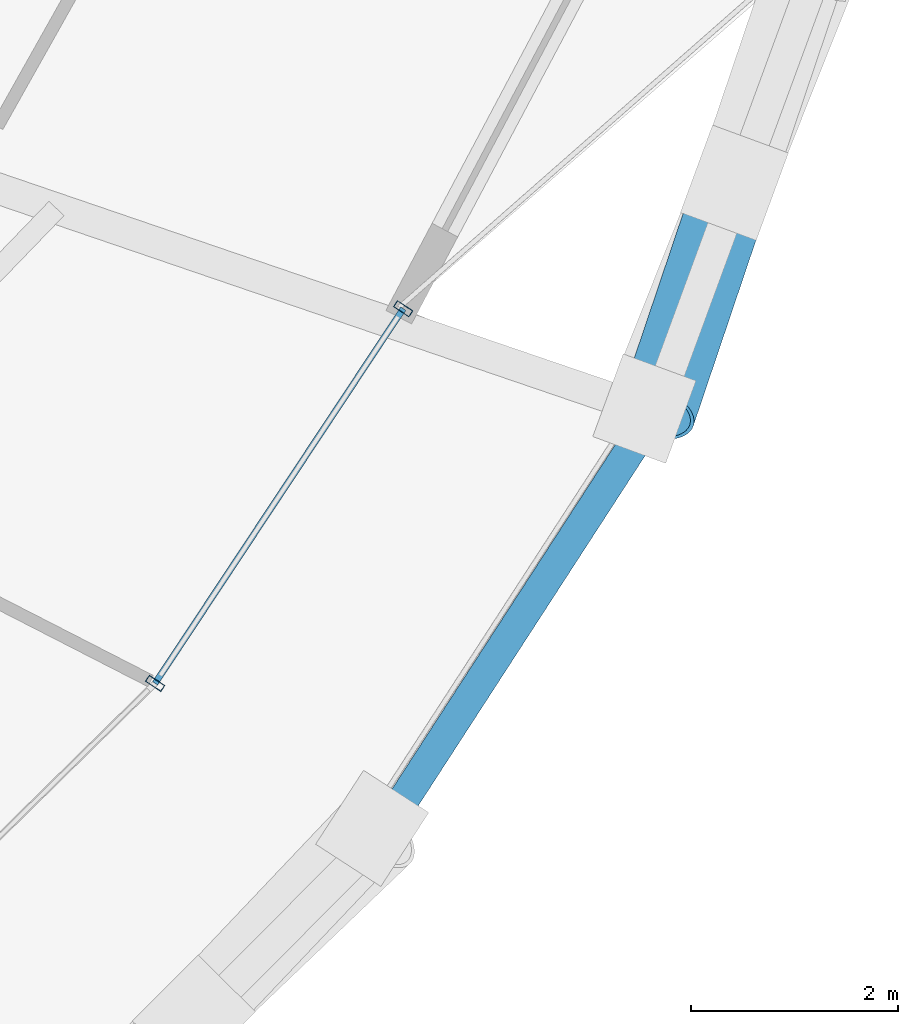
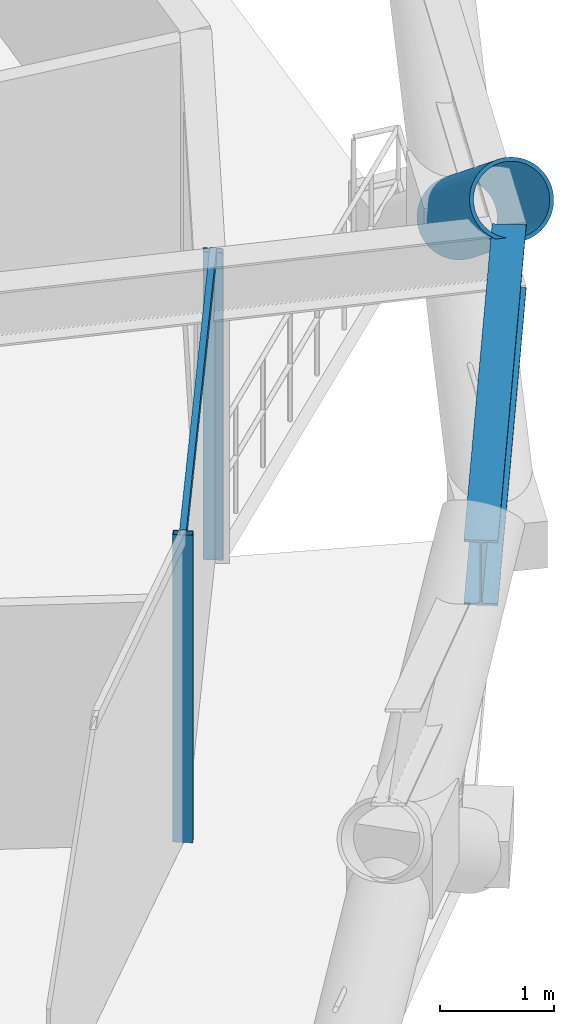
# One storey, part 10 of 19: 4 members, 1 beam, 1 element without a shape of its own.
"""IFC4 building model written with IfcOpenShell, lengths in metres."""

from ifc_helpers import new_model, si_unit, direction, frame, origin, origin_2d, place, context, subcontext, project, spatial, hollow_rectangle, hollow_circle, i_section, extrude, material, layer, layer_set, material_profile, profile_set, type_object, element, aggregate, save


model = new_model("IFC4")

# Units and contexts
model_context = context("Model", 3, precision=1e-05, world=origin(), true_north=direction((0.0, 1.0)))
body_context = subcontext(model_context, "Body", "Model", "MODEL_VIEW")
ifc_project = project(units=[si_unit("LENGTHUNIT", "METRE"), si_unit("AREAUNIT", "SQUARE_METRE"), si_unit("VOLUMEUNIT", "CUBIC_METRE"), si_unit("PLANEANGLEUNIT", "RADIAN"), si_unit("MASSUNIT", "GRAM", prefix="KILO")], contexts=[model_context])

# Site, building, storey
site_placement = place(None, origin())
site = spatial("IfcSite", under=ifc_project, at=site_placement, CompositionType="ELEMENT")
building_placement = place(site_placement, origin())
building = spatial("IfcBuilding", under=site, at=building_placement, Name="Veldorina Hangang Commons", CompositionType="ELEMENT")
storey_placement = place(building_placement, frame((0.0, 0.0, 52.0)))
storey = spatial("IfcBuildingStorey", under=building, at=storey_placement, Name="L12", CompositionType="ELEMENT", Elevation=52.0)

# Beam
ifc_material_1 = material(Name="Steel SM460-TMC", Category="steel")
ifc_material_profile_1 = material_profile(ifc_material_1, i_section(OverallWidth=0.300048828125, OverallDepth=0.699951171875, WebThickness=0.012939453125, FlangeThickness=0.02392578125, FilletRadius=0.02197265625, at=origin_2d()), Name="H-700x300x13x24")
ifc_profile_set_1 = profile_set([ifc_material_profile_1], Name="Steel SM460-TMC")
beam_type = type_object("IfcBeamType", Name="BM-RB700", PredefinedType="BEAM", material=ifc_profile_set_1)
beam_placement = place(storey_placement, frame((55.729736328125, 10.922119140625, 2.989990234375), z_axis=(0.543825205395, 0.839198514046, 0.0), x_axis=(-0.839198514046, 0.543825205395, 0.0)))
element("IfcBeam", 1, at=beam_placement, inside=storey, type_object=beam_type, Name="L12 perimeter hoop ring beam 29", PredefinedType="BEAM", context=body_context, shape_type="SweptSolid", body=[
    extrude(i_section(OverallWidth=0.300048828125, OverallDepth=0.699951171875, WebThickness=0.012939453125, FlangeThickness=0.02392578125, FilletRadius=0.02197265625, at=origin_2d()), origin(), (0.0, 0.0, 1.0), 4.849365234375),
])

# Curtain wall, members
ifc_material_2 = material(Name="Glass Low-E Triple IGU", Category="glass")
ifc_layer = layer(ifc_material_2, 0.179931640625)
ifc_layer_set = layer_set([ifc_layer], Name="Glass Low-E Triple IGU")
curtain_wall_type = type_object("IfcCurtainWallType", Name="CW-SYS-Z1", PredefinedType="NOTDEFINED", material=ifc_layer_set)
curtain_wall_placement = place(storey_placement, origin())
curtain_wall = element("IfcCurtainWall", 2, at=curtain_wall_placement, inside=storey, type_object=curtain_wall_type, Name="L12 unitised curtain wall CW-L12-R2", PredefinedType="NOTDEFINED")
ifc_material_3 = material(Name="Aluminium Anodized AA6063-T6", Category="aluminium")
ifc_material_profile_2 = material_profile(ifc_material_3, hollow_rectangle(XDim=0.070068359375, YDim=0.179931640625, WallThickness=0.00390625, at=origin_2d()), Name="ALU-RHS-180x70x4")
ifc_profile_set_2 = profile_set([ifc_material_profile_2], Name="Aluminium Anodized AA6063-T6")
member_type_1 = type_object("IfcMemberType", Name="CW-MUL-180", PredefinedType="MULLION", material=ifc_profile_set_2)
member_1_placement = place(storey_placement, frame((53.547607421875, 12.380126953125, 0.0), z_axis=(0.0, 0.0, 1.0), x_axis=(0.552169828639, 0.833731659673, 0.0)))
member_1 = element("IfcMember", 3, at=member_1_placement, type_object=member_type_1, Name="CW-L12-R2 vertical mullion 3", PredefinedType="MULLION", context=body_context, shape_type="SweptSolid", body=[
    extrude(hollow_rectangle(XDim=0.070068359375, YDim=0.179931640625, WallThickness=0.00390625, at=origin_2d()), origin(), (0.0, 0.0, 1.0), 3.300048828125),
])
member_2_placement = place(storey_placement, frame((55.9423828125, 15.99609375, 0.0), z_axis=(0.0, 0.0, 1.0), x_axis=(-0.552169828639, -0.833731659673, 0.0)))
member_2 = element("IfcMember", 4, at=member_2_placement, type_object=member_type_1, Name="CW-L12-R2 vertical mullion 4", PredefinedType="MULLION", context=body_context, shape_type="SweptSolid", body=[
    extrude(hollow_rectangle(XDim=0.070068359375, YDim=0.179931640625, WallThickness=0.00390625, at=origin_2d()), origin(), (0.0, 0.0, 1.0), 3.300048828125),
])
ifc_material_profile_3 = material_profile(ifc_material_3, hollow_rectangle(XDim=0.06005859375, YDim=0.139892578125, WallThickness=0.00341796875, at=origin_2d()), Name="ALU-RHS-140x60x3.5")
ifc_profile_set_3 = profile_set([ifc_material_profile_3], Name="Aluminium Anodized AA6063-T6")
member_type_2 = type_object("IfcMemberType", Name="CW-TRN-140", PredefinedType="USERDEFINED", material=ifc_profile_set_3)
member_3_placement = place(storey_placement, frame((53.547607421875, 12.380126953125, 3.260009765625), z_axis=(0.552164502667, 0.833735186971, 0.0), x_axis=(-0.833735186971, 0.552164502667, 0.0)))
member_3 = element("IfcMember", 5, at=member_3_placement, type_object=member_type_2, Name="CW-L12-R2 facet 5 transom 1", ObjectType="TRANSOM", PredefinedType="USERDEFINED", context=body_context, shape_type="SweptSolid", body=[
    extrude(hollow_rectangle(XDim=0.06005859375, YDim=0.139892578125, WallThickness=0.00341796875, at=origin_2d()), origin(), (0.0, 0.0, 1.0), 4.337158203125),
])
aggregate(curtain_wall, [member_1, member_2, member_3])

# Member
ifc_material_profile_4 = material_profile(ifc_material_1, hollow_circle(Radius=0.375, WallThickness=0.035888671875, at=origin_2d()), Name="CHS-750x36")
ifc_profile_set_4 = profile_set([ifc_material_profile_4], Name="Steel SM460-TMC")
member_type_3 = type_object("IfcMemberType", Name="DG-CHS750", PredefinedType="BRACE", material=ifc_profile_set_4)
member_4_placement = place(storey_placement, frame((59.138916015625, 17.2119140625, 1.79541015625), z_axis=(-0.253740275488, -0.751667476266, 0.608779005649), x_axis=(0.947472225768, -0.319838054957, 0.0)))
element("IfcMember", 6, at=member_4_placement, inside=storey, type_object=member_type_3, Name="L12 split perimeter diagrid upper brace 31", PredefinedType="BRACE", context=body_context, shape_type="SweptSolid", body=[
    extrude(hollow_circle(Radius=0.375, WallThickness=0.035888671875, at=origin_2d()), origin(), (0.0, 0.0, 1.0), 2.96435546875),
])

save(model, "model.ifc")
